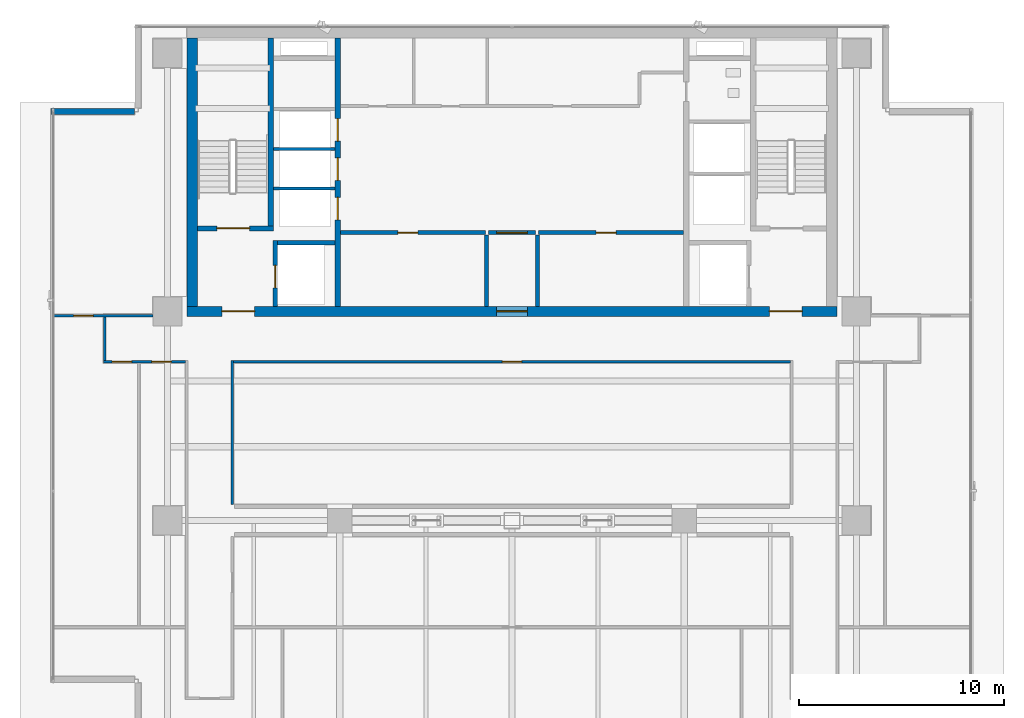
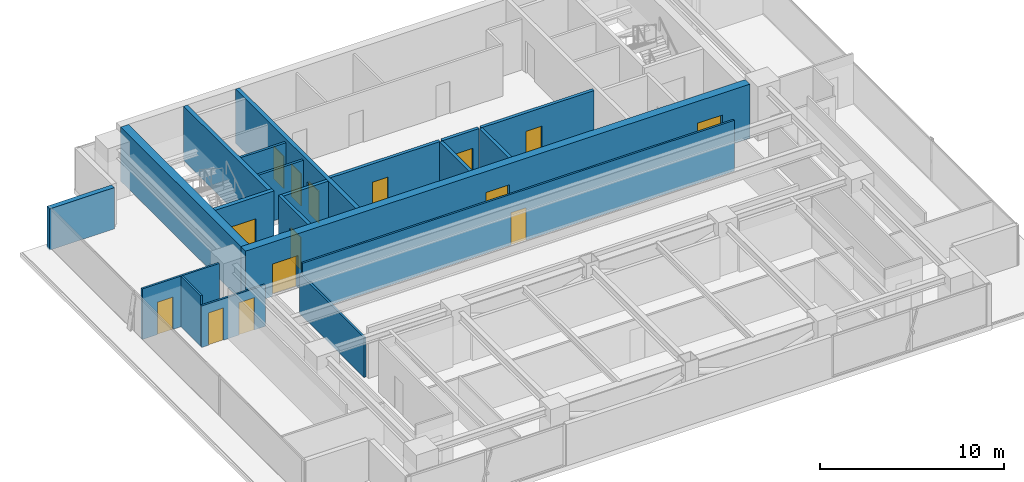
# One storey, part 20 of 27: 20 walls, 15 doors, 15 openings.
"""IFC4 building model written with IfcOpenShell, lengths in metres."""

from ifc_helpers import new_model, si_unit, direction, frame, frame_2d, origin, place, context, subcontext, project, spatial, rectangle, extrude, source, transform, mapped, material, layer, layer_set, type_object, element, fill, save


model = new_model("IFC4")

# Units and contexts
model_context = context("Model", 3, precision=1e-05, world=origin(), true_north=direction((0.0, 1.0)))
body_context = subcontext(model_context, "Body", "Model", "MODEL_VIEW")
ifc_project = project(units=[si_unit("LENGTHUNIT", "METRE"), si_unit("AREAUNIT", "SQUARE_METRE"), si_unit("VOLUMEUNIT", "CUBIC_METRE"), si_unit("PLANEANGLEUNIT", "RADIAN"), si_unit("MASSUNIT", "GRAM", prefix="KILO")], contexts=[model_context])

# Site, building, storey
site_placement = place(None, origin())
site = spatial("IfcSite", under=ifc_project, at=site_placement, CompositionType="ELEMENT")
building_placement = place(site_placement, origin())
building = spatial("IfcBuilding", under=site, at=building_placement, Name="Sumidabori Civic Tower", CompositionType="ELEMENT")
storey_placement = place(building_placement, frame((0.0, 0.0, 228.800048828125)))
storey = spatial("IfcBuildingStorey", under=building, at=storey_placement, Name="L59", CompositionType="ELEMENT", Elevation=228.800048828125)

# Wall
ifc_material_1 = material(Name="Concrete C50/60", Category="concrete")
ifc_layer_1 = layer(ifc_material_1, 0.199951171875, Name="Concrete C50/60")
ifc_layer_set_1 = layer_set([ifc_layer_1], Name="Concrete C50/60")
wall_type_1 = type_object("IfcWallType", Name="WL-SHAFT-200", PredefinedType="SHEAR", material=ifc_layer_set_1)
shared_shape_1 = source(origin(), body_context, "Body", "SweptSolid", [
    extrude(rectangle(XDim=2.824951171875, YDim=0.199951171875, at=frame_2d((1.41259765625, 0.0))), origin(), (0.0, 0.0, 1.0), 3.599853515625),
])
wall_1_placement = place(storey_placement, frame((-11.449951171875, 13.550048828125, 0.0), z_axis=(0.0, 0.0, 1.0), x_axis=(1.0, 0.0, 0.0)))
element("IfcWall", 1, at=wall_1_placement, inside=storey, type_object=wall_type_1, Name="Core Shear Wall L59 EL1-N", PredefinedType="SHEAR", context=body_context, shape_type="MappedRepresentation", body=[
    mapped(shared_shape_1, transform((0.0, 0.0, 0.0), x_axis=(1.0, 0.0, 0.0), y_axis=(0.0, 1.0, 0.0), z_axis=(0.0, 0.0, 1.0), scale=1.0)),
])

# Wall, openings, doors
ifc_layer_2 = layer(ifc_material_1, 0.5, Name="Concrete C50/60")
ifc_layer_set_2 = layer_set([ifc_layer_2], Name="Concrete C50/60")
wall_type_2 = type_object("IfcWallType", Name="WL-CORE-500", PredefinedType="SHEAR", material=ifc_layer_set_2)
shared_shape_2 = source(origin(), body_context, "Body", "SweptSolid", [
    extrude(rectangle(XDim=31.7001953125, YDim=0.5, at=frame_2d((15.85009765625, 0.0))), origin(), (0.0, 0.0, 1.0), 3.599853515625),
])
wall_2_placement = place(storey_placement, frame((-15.85009765625, 10.199951171875, 0.0), z_axis=(0.0, 0.0, 1.0), x_axis=(1.0, 0.0, 0.0)))
wall_2 = element("IfcWall", 2, at=wall_2_placement, inside=storey, type_object=wall_type_2, Name="Core Shear Wall L59 S", PredefinedType="SHEAR", context=body_context, shape_type="MappedRepresentation", body=[
    mapped(shared_shape_2, transform((0.0, 0.0, 0.0), x_axis=(1.0, 0.0, 0.0), y_axis=(0.0, 1.0, 0.0), z_axis=(0.0, 0.0, 1.0), scale=1.0)),
])
opening_1_placement = place(wall_2_placement, frame((1.699951171875, 0.0, 0.0)))
opening_1 = element("IfcOpeningElement", 3, at=opening_1_placement, cuts=wall_2, Name="Opening DR-FD4", PredefinedType="OPENING", context=body_context, shape_type="SweptSolid", body=[
    extrude(rectangle(XDim=1.60009765625, YDim=2.14990234375, at=frame_2d((0.800048828125, 1.074951171875))), frame((0.0, 0.261962890625, 0.0), z_axis=(0.0, -1.0, 0.0), x_axis=(1.0, 0.0, 0.0)), (0.0, 0.0, 1.0), 0.52392578125),
])
opening_2_placement = place(wall_2_placement, frame((28.39990234375, 0.0, 0.0)))
opening_2 = element("IfcOpeningElement", 4, at=opening_2_placement, cuts=wall_2, Name="Opening DR-FD4", PredefinedType="OPENING", context=body_context, shape_type="SweptSolid", body=[
    extrude(rectangle(XDim=1.60009765625, YDim=2.14990234375, at=frame_2d((0.800048828125, 1.074951171875))), frame((0.0, 0.261962890625, 0.0), z_axis=(0.0, -1.0, 0.0), x_axis=(1.0, 0.0, 0.0)), (0.0, 0.0, 1.0), 0.52392578125),
])
opening_3_placement = place(wall_2_placement, frame((15.10009765625, 0.0, 0.0)))
opening_3 = element("IfcOpeningElement", 5, at=opening_3_placement, cuts=wall_2, Name="Opening DR-FD3", PredefinedType="OPENING", context=body_context, shape_type="SweptSolid", body=[
    extrude(rectangle(XDim=1.5, YDim=2.199951171875, at=frame_2d((0.75, 1.10009765625))), frame((0.0, 0.261962890625, 0.0), z_axis=(0.0, -1.0, 0.0), x_axis=(1.0, 0.0, 0.0)), (0.0, 0.0, 1.0), 0.52392578125),
])
ifc_material_2 = material(Name="Steel SN490", Category="steel")
door_type_1 = type_object("IfcDoorType", Name="DR-FD4", OperationType="DOUBLE_DOOR_SINGLE_SWING", PredefinedType="DOOR", material=ifc_material_2)
shared_shape_3 = source(origin(), body_context, "Body", "SweptSolid", [
    extrude(rectangle(XDim=1.60009765625, YDim=2.14990234375, at=frame_2d((0.800048828125, 1.074951171875))), frame((0.0, 0.02490234375, 0.0), z_axis=(0.0, -1.0, 0.0), x_axis=(1.0, 0.0, 0.0)), (0.0, 0.0, 1.0), 0.050048828125),
])
door_1_placement = place(opening_1_placement, origin())
door_1 = element("IfcDoor", 6, at=door_1_placement, inside=storey, type_object=door_type_1, Name="Door DR:L59:ELOB-W", OperationType="DOUBLE_DOOR_SINGLE_SWING", OverallHeight=2.14990234375, OverallWidth=1.60009765625, PredefinedType="DOOR", context=body_context, shape_type="MappedRepresentation", body=[
    mapped(shared_shape_3, transform((0.0, 0.0, 0.0), x_axis=(1.0, 0.0, 0.0), y_axis=(0.0, 1.0, 0.0), z_axis=(0.0, 0.0, 1.0), scale=1.0)),
])
fill(opening_1, door_1)
door_2_placement = place(opening_2_placement, origin())
door_2 = element("IfcDoor", 7, at=door_2_placement, inside=storey, type_object=door_type_1, Name="Door DR:L59:ELOB-E", OperationType="DOUBLE_DOOR_SINGLE_SWING", OverallHeight=2.14990234375, OverallWidth=1.60009765625, PredefinedType="DOOR", context=body_context, shape_type="MappedRepresentation", body=[
    mapped(shared_shape_3, transform((0.0, 0.0, 0.0), x_axis=(1.0, 0.0, 0.0), y_axis=(0.0, 1.0, 0.0), z_axis=(0.0, 0.0, 1.0), scale=1.0)),
])
fill(opening_2, door_2)
door_type_2 = type_object("IfcDoorType", Name="DR-FD-DBL", OperationType="DOUBLE_DOOR_SINGLE_SWING", PredefinedType="DOOR", material=ifc_material_2)
shared_shape_4 = source(origin(), body_context, "Body", "SweptSolid", [
    extrude(rectangle(XDim=1.5, YDim=2.199951171875, at=frame_2d((0.75, 1.10009765625))), frame((0.0, 0.02490234375, 0.0), z_axis=(0.0, -1.0, 0.0), x_axis=(1.0, 0.0, 0.0)), (0.0, 0.0, 1.0), 0.050048828125),
])
door_3_placement = place(opening_3_placement, origin())
door_3 = element("IfcDoor", 8, at=door_3_placement, inside=storey, type_object=door_type_2, Name="Door DR:L59:THROAT-OUT", OperationType="DOUBLE_DOOR_SINGLE_SWING", OverallHeight=2.199951171875, OverallWidth=1.5, PredefinedType="DOOR", context=body_context, shape_type="MappedRepresentation", body=[
    mapped(shared_shape_4, transform((0.0, 0.0, 0.0), x_axis=(1.0, 0.0, 0.0), y_axis=(0.0, 1.0, 0.0), z_axis=(0.0, 0.0, 1.0), scale=1.0)),
])
fill(opening_3, door_3)

# Wall
shared_shape_5 = source(origin(), body_context, "Body", "SweptSolid", [
    extrude(rectangle(XDim=13.10009765625, YDim=0.5, at=frame_2d((6.550048828125, 0.0))), origin(), (0.0, 0.0, 1.0), 3.599853515625),
])
wall_3_placement = place(storey_placement, frame((-15.60009765625, 10.449951171875, 0.0), z_axis=(0.0, 0.0, 1.0), x_axis=(0.0, 1.0, 0.0)))
element("IfcWall", 9, at=wall_3_placement, inside=storey, type_object=wall_type_2, Name="Core Shear Wall L59 W", PredefinedType="SHEAR", context=body_context, shape_type="MappedRepresentation", body=[
    mapped(shared_shape_5, transform((0.0, 0.0, 0.0), x_axis=(1.0, 0.0, 0.0), y_axis=(0.0, 1.0, 0.0), z_axis=(0.0, 0.0, 1.0), scale=1.0)),
])

# Wall, openings, doors
ifc_layer_3 = layer(ifc_material_1, 0.25, Name="Concrete C50/60")
ifc_layer_set_3 = layer_set([ifc_layer_3], Name="Concrete C50/60")
wall_type_3 = type_object("IfcWallType", Name="WL-SHAFT-250", PredefinedType="SHEAR", material=ifc_layer_set_3)
shared_shape_6 = source(origin(), body_context, "Body", "SweptSolid", [
    extrude(rectangle(XDim=13.10009765625, YDim=0.25, at=frame_2d((6.550048828125, 0.0))), origin(), (0.0, 0.0, 1.0), 3.599853515625),
])
wall_4_placement = place(storey_placement, frame((-8.5, 10.449951171875, 0.0), z_axis=(0.0, 0.0, 1.0), x_axis=(0.0, 1.0, 0.0)))
wall_4 = element("IfcWall", 10, at=wall_4_placement, inside=storey, type_object=wall_type_3, Name="Core Shear Wall L59 WEB-W", PredefinedType="SHEAR", context=body_context, shape_type="MappedRepresentation", body=[
    mapped(shared_shape_6, transform((0.0, 0.0, 0.0), x_axis=(1.0, 0.0, 0.0), y_axis=(0.0, 1.0, 0.0), z_axis=(0.0, 0.0, 1.0), scale=1.0)),
])
opening_4_placement = place(wall_4_placement, frame((4.219970703125, 0.0, 0.0)))
opening_4 = element("IfcOpeningElement", 11, at=opening_4_placement, cuts=wall_4, Name="Opening LD-1", PredefinedType="OPENING", context=body_context, shape_type="SweptSolid", body=[
    extrude(rectangle(XDim=1.10009765625, YDim=2.14990234375, at=frame_2d((0.550048828125, 1.074951171875))), frame((0.0, 0.136962890625, 0.0), z_axis=(0.0, -1.0, 0.0), x_axis=(1.0, 0.0, 0.0)), (0.0, 0.0, 1.0), 0.27392578125),
])
opening_5_placement = place(wall_4_placement, frame((6.139892578125, 0.0, 0.0)))
opening_5 = element("IfcOpeningElement", 12, at=opening_5_placement, cuts=wall_4, Name="Opening LD-1", PredefinedType="OPENING", context=body_context, shape_type="SweptSolid", body=[
    extrude(rectangle(XDim=1.10009765625, YDim=2.14990234375, at=frame_2d((0.550048828125, 1.074951171875))), frame((0.0, 0.136962890625, 0.0), z_axis=(0.0, -1.0, 0.0), x_axis=(1.0, 0.0, 0.0)), (0.0, 0.0, 1.0), 0.27392578125),
])
opening_6_placement = place(wall_4_placement, frame((8.06005859375, 0.0, 0.0)))
opening_6 = element("IfcOpeningElement", 13, at=opening_6_placement, cuts=wall_4, Name="Opening LD-1", PredefinedType="OPENING", context=body_context, shape_type="SweptSolid", body=[
    extrude(rectangle(XDim=1.10009765625, YDim=2.14990234375, at=frame_2d((0.550048828125, 1.074951171875))), frame((0.0, 0.136962890625, 0.0), z_axis=(0.0, -1.0, 0.0), x_axis=(1.0, 0.0, 0.0)), (0.0, 0.0, 1.0), 0.27392578125),
])
ifc_material_3 = material(Name="Stainless Steel Hairline Finish", Category="steel")
door_type_3 = type_object("IfcDoorType", Name="DR-LD1", OperationType="DOUBLE_DOOR_SLIDING", PredefinedType="DOOR", material=ifc_material_3)
shared_shape_7 = source(origin(), body_context, "Body", "SweptSolid", [
    extrude(rectangle(XDim=1.10009765625, YDim=2.14990234375, at=frame_2d((0.550048828125, 1.074951171875))), frame((0.0, 0.02490234375, 0.0), z_axis=(0.0, -1.0, 0.0), x_axis=(1.0, 0.0, 0.0)), (0.0, 0.0, 1.0), 0.050048828125),
])
door_4_placement = place(opening_4_placement, origin())
door_4 = element("IfcDoor", 14, at=door_4_placement, inside=storey, type_object=door_type_3, Name="Door DR:L59:LD-PLH1", OperationType="DOUBLE_DOOR_SLIDING", OverallHeight=2.14990234375, OverallWidth=1.10009765625, PredefinedType="DOOR", context=body_context, shape_type="MappedRepresentation", body=[
    mapped(shared_shape_7, transform((0.0, 0.0, 0.0), x_axis=(1.0, 0.0, 0.0), y_axis=(0.0, 1.0, 0.0), z_axis=(0.0, 0.0, 1.0), scale=1.0)),
])
fill(opening_4, door_4)
door_5_placement = place(opening_5_placement, origin())
door_5 = element("IfcDoor", 15, at=door_5_placement, inside=storey, type_object=door_type_3, Name="Door DR:L59:LD-PLH2", OperationType="DOUBLE_DOOR_SLIDING", OverallHeight=2.14990234375, OverallWidth=1.10009765625, PredefinedType="DOOR", context=body_context, shape_type="MappedRepresentation", body=[
    mapped(shared_shape_7, transform((0.0, 0.0, 0.0), x_axis=(1.0, 0.0, 0.0), y_axis=(0.0, 1.0, 0.0), z_axis=(0.0, 0.0, 1.0), scale=1.0)),
])
fill(opening_5, door_5)
door_6_placement = place(opening_6_placement, origin())
door_6 = element("IfcDoor", 16, at=door_6_placement, inside=storey, type_object=door_type_3, Name="Door DR:L59:LD-PLH3", OperationType="DOUBLE_DOOR_SLIDING", OverallHeight=2.14990234375, OverallWidth=1.10009765625, PredefinedType="DOOR", context=body_context, shape_type="MappedRepresentation", body=[
    mapped(shared_shape_7, transform((0.0, 0.0, 0.0), x_axis=(1.0, 0.0, 0.0), y_axis=(0.0, 1.0, 0.0), z_axis=(0.0, 0.0, 1.0), scale=1.0)),
])
fill(opening_6, door_6)

# Wall, opening, door
shared_shape_8 = source(origin(), body_context, "Body", "SweptSolid", [
    extrude(rectangle(XDim=3.705078125, YDim=0.25, at=frame_2d((1.8525390625, 0.0))), origin(), (0.0, 0.0, 1.0), 3.599853515625),
])
wall_5_placement = place(storey_placement, frame((-15.35009765625, 14.25, 0.0), z_axis=(0.0, 0.0, 1.0), x_axis=(1.0, 0.0, 0.0)))
wall_5 = element("IfcWall", 17, at=wall_5_placement, inside=storey, type_object=wall_type_3, Name="Core Shear Wall L59 ST1-S", PredefinedType="SHEAR", context=body_context, shape_type="MappedRepresentation", body=[
    mapped(shared_shape_8, transform((0.0, 0.0, 0.0), x_axis=(1.0, 0.0, 0.0), y_axis=(0.0, 1.0, 0.0), z_axis=(0.0, 0.0, 1.0), scale=1.0)),
])
opening_7_placement = place(wall_5_placement, frame((0.949951171875, 0.0, 0.0)))
opening_7 = element("IfcOpeningElement", 18, at=opening_7_placement, cuts=wall_5, Name="Opening DR-FD4", PredefinedType="OPENING", context=body_context, shape_type="SweptSolid", body=[
    extrude(rectangle(XDim=1.60009765625, YDim=2.14990234375, at=frame_2d((0.800048828125, 1.074951171875))), frame((0.0, 0.136962890625, 0.0), z_axis=(0.0, -1.0, 0.0), x_axis=(1.0, 0.0, 0.0)), (0.0, 0.0, 1.0), 0.27392578125),
])
door_7_placement = place(opening_7_placement, origin())
door_7 = element("IfcDoor", 19, at=door_7_placement, inside=storey, type_object=door_type_1, Name="Door DR:L59:ST1", OperationType="DOUBLE_DOOR_SINGLE_SWING", OverallHeight=2.14990234375, OverallWidth=1.60009765625, PredefinedType="DOOR", context=body_context, shape_type="MappedRepresentation", body=[
    mapped(shared_shape_3, transform((0.0, 0.0, 0.0), x_axis=(1.0, 0.0, 0.0), y_axis=(0.0, 1.0, 0.0), z_axis=(0.0, 0.0, 1.0), scale=1.0)),
])
fill(opening_7, door_7)

# Wall
shared_shape_9 = source(origin(), body_context, "Body", "SweptSolid", [
    extrude(rectangle(XDim=9.175048828125, YDim=0.25, at=frame_2d((4.58740234375, 0.0))), origin(), (0.0, 0.0, 1.0), 3.599853515625),
])
wall_6_placement = place(storey_placement, frame((-11.77001953125, 14.375, 0.0), z_axis=(0.0, 0.0, 1.0), x_axis=(0.0, 1.0, 0.0)))
element("IfcWall", 20, at=wall_6_placement, inside=storey, type_object=wall_type_3, Name="Core Shear Wall L59 ST1-E", PredefinedType="SHEAR", context=body_context, shape_type="MappedRepresentation", body=[
    mapped(shared_shape_9, transform((0.0, 0.0, 0.0), x_axis=(1.0, 0.0, 0.0), y_axis=(0.0, 1.0, 0.0), z_axis=(0.0, 0.0, 1.0), scale=1.0)),
])

# Wall, opening, door
shared_shape_10 = source(origin(), body_context, "Body", "SweptSolid", [
    extrude(rectangle(XDim=3.199951171875, YDim=0.199951171875, at=frame_2d((1.60009765625, 0.0))), origin(), (0.0, 0.0, 1.0), 3.599853515625),
])
wall_7_placement = place(storey_placement, frame((-11.550048828125, 10.449951171875, 0.0), z_axis=(0.0, 0.0, 1.0), x_axis=(0.0, 1.0, 0.0)))
wall_7 = element("IfcWall", 21, at=wall_7_placement, inside=storey, type_object=wall_type_1, Name="Core Shear Wall L59 EL1-W", PredefinedType="SHEAR", context=body_context, shape_type="MappedRepresentation", body=[
    mapped(shared_shape_10, transform((0.0, 0.0, 0.0), x_axis=(1.0, 0.0, 0.0), y_axis=(0.0, 1.0, 0.0), z_axis=(0.0, 0.0, 1.0), scale=1.0)),
])
opening_8_placement = place(wall_7_placement, frame((0.89990234375, 0.0, 0.0)))
opening_8 = element("IfcOpeningElement", 22, at=opening_8_placement, cuts=wall_7, Name="Opening LD-2", PredefinedType="OPENING", context=body_context, shape_type="SweptSolid", body=[
    extrude(rectangle(XDim=1.10009765625, YDim=2.14990234375, at=frame_2d((0.550048828125, 1.074951171875))), frame((0.0, 0.11181640625, 0.0), z_axis=(0.0, -1.0, 0.0), x_axis=(1.0, 0.0, 0.0)), (0.0, 0.0, 1.0), 0.223876953125),
])
door_type_4 = type_object("IfcDoorType", Name="DR-LD2", OperationType="DOUBLE_DOOR_SLIDING", PredefinedType="DOOR", material=ifc_material_3)
door_8_placement = place(opening_8_placement, origin())
door_8 = element("IfcDoor", 23, at=door_8_placement, inside=storey, type_object=door_type_4, Name="Door DR:L59:LD-EL1", OperationType="DOUBLE_DOOR_SLIDING", OverallHeight=2.14990234375, OverallWidth=1.10009765625, PredefinedType="DOOR", context=body_context, shape_type="MappedRepresentation", body=[
    mapped(shared_shape_7, transform((0.0, 0.0, 0.0), x_axis=(1.0, 0.0, 0.0), y_axis=(0.0, 1.0, 0.0), z_axis=(0.0, 0.0, 1.0), scale=1.0)),
])
fill(opening_8, door_8)

# Walls
ifc_material_4 = material(Name="Precast concrete C40/50", Category="concrete")
ifc_layer_4 = layer(ifc_material_4, 0.300048828125, Name="Precast concrete C40/50")
ifc_layer_set_4 = layer_set([ifc_layer_4], Name="Precast concrete C40/50")
wall_type_4 = type_object("IfcWallType", Name="WL-EXT-POD300", PredefinedType="STANDARD", material=ifc_layer_set_4)
shared_shape_11 = source(origin(), body_context, "Body", "SweptSolid", [
    extrude(rectangle(XDim=4.06005859375, YDim=0.300048828125, at=frame_2d((2.030029296875, 0.0))), origin(), (0.0, 0.0, 1.0), 2.75),
])
wall_8_placement = place(storey_placement, frame((-18.419921875, 19.949951171875, 0.0), z_axis=(0.0, 0.0, 1.0), x_axis=(-1.0, 0.0, 0.0)))
element("IfcWall", 24, at=wall_8_placement, inside=storey, type_object=wall_type_4, Name="Notched Corner Spandrel Band L59-10", PredefinedType="STANDARD", context=body_context, shape_type="MappedRepresentation", body=[
    mapped(shared_shape_11, transform((0.0, 0.0, 0.0), x_axis=(1.0, 0.0, 0.0), y_axis=(0.0, 1.0, 0.0), z_axis=(0.0, 0.0, 1.0), scale=1.0)),
])
ifc_material_5 = material(Name="Gypsum Plasterboard Acoustic Partition")
ifc_layer_5 = layer(ifc_material_5, 0.14990234375, Name="Gypsum Plasterboard Acoustic Partition")
ifc_layer_set_5 = layer_set([ifc_layer_5], Name="Gypsum Plasterboard Acoustic Partition")
wall_type_5 = type_object("IfcWallType", Name="WL-PART-150", PredefinedType="PARTITIONING", material=ifc_layer_set_5)
shared_shape_12 = source(origin(), body_context, "Body", "SweptSolid", [
    extrude(rectangle(XDim=3.010009765625, YDim=0.14990234375, at=frame_2d((1.5048828125, 0.0))), origin(), (0.0, 0.0, 1.0), 3.369873046875),
])
for number, where, z_axis, x_axis, name in (
    (25, (-11.639892578125, 16.199951171875, 0.0), (0.0, 0.0, 1.0), (1.0, 0.0, 0.0), "Interior Partition WL:L59:DIV-PLH1"),
    (26, (-11.639892578125, 18.1201171875, 0.0), (0.0, 0.0, 1.0), (1.0, 0.0, 0.0), "Interior Partition WL:L59:DIV-PLH2"),
):
    element("IfcWall", number, at=place(storey_placement, frame(where, z_axis=z_axis, x_axis=x_axis)), inside=storey, type_object=wall_type_5, Name=name, PredefinedType="PARTITIONING", context=body_context, shape_type="MappedRepresentation", body=[
        mapped(shared_shape_12, transform((0.0, 0.0, 0.0), x_axis=(1.0, 0.0, 0.0), y_axis=(0.0, 1.0, 0.0), z_axis=(0.0, 0.0, 1.0), scale=1.0)),
    ])

# Wall, opening, door
ifc_material_6 = material(Name="Gypsum Plasterboard Fire Partition")
ifc_layer_6 = layer(ifc_material_6, 0.199951171875, Name="Gypsum Plasterboard Fire Partition")
ifc_layer_set_6 = layer_set([ifc_layer_6], Name="Gypsum Plasterboard Fire Partition")
wall_type_6 = type_object("IfcWallType", Name="WL-PART-FIRE", PredefinedType="PARTITIONING", material=ifc_layer_set_6)
shared_shape_13 = source(origin(), body_context, "Body", "SweptSolid", [
    extrude(rectangle(XDim=7.070068359375, YDim=0.199951171875, at=frame_2d((3.53515625, 0.0))), origin(), (0.0, 0.0, 1.0), 3.369873046875),
])
wall_9_placement = place(storey_placement, frame((-8.3701171875, 14.050048828125, 0.0), z_axis=(0.0, 0.0, 1.0), x_axis=(1.0, 0.0, 0.0)))
wall_9 = element("IfcWall", 27, at=wall_9_placement, inside=storey, type_object=wall_type_6, Name="Interior Partition WL:L59:CBAND-SW", PredefinedType="PARTITIONING", context=body_context, shape_type="MappedRepresentation", body=[
    mapped(shared_shape_13, transform((0.0, 0.0, 0.0), x_axis=(1.0, 0.0, 0.0), y_axis=(0.0, 1.0, 0.0), z_axis=(0.0, 0.0, 1.0), scale=1.0)),
])
opening_9_placement = place(wall_9_placement, frame((2.800048828125, 0.0, 0.0)))
opening_9 = element("IfcOpeningElement", 28, at=opening_9_placement, cuts=wall_9, Name="Opening DR-3", PredefinedType="OPENING", context=body_context, shape_type="SweptSolid", body=[
    extrude(rectangle(XDim=0.97998046875, YDim=2.14990234375, at=frame_2d((0.489990234375, 1.074951171875))), frame((0.0, 0.11181640625, 0.0), z_axis=(0.0, -1.0, 0.0), x_axis=(1.0, 0.0, 0.0)), (0.0, 0.0, 1.0), 0.223876953125),
])
ifc_material_7 = material(Name="Japanese Hinoki Timber", Category="wood")
door_type_5 = type_object("IfcDoorType", Name="DR-INT-980", OperationType="NOTDEFINED", PredefinedType="DOOR", material=ifc_material_7)
shared_shape_14 = source(origin(), body_context, "Body", "SweptSolid", [
    extrude(rectangle(XDim=0.97998046875, YDim=2.14990234375, at=frame_2d((0.489990234375, 1.074951171875))), frame((0.0, 0.02490234375, 0.0), z_axis=(0.0, -1.0, 0.0), x_axis=(1.0, 0.0, 0.0)), (0.0, 0.0, 1.0), 0.050048828125),
])
door_9_placement = place(opening_9_placement, origin())
door_9 = element("IfcDoor", 29, at=door_9_placement, inside=storey, type_object=door_type_5, Name="Door DR:L59:REC-B1", OperationType="SINGLE_SWING_LEFT", OverallHeight=2.14990234375, OverallWidth=0.97998046875, PredefinedType="DOOR", context=body_context, shape_type="MappedRepresentation", body=[
    mapped(shared_shape_14, transform((0.0, 0.0, 0.0), x_axis=(1.0, 0.0, 0.0), y_axis=(0.0, 1.0, 0.0), z_axis=(0.0, 0.0, 1.0), scale=1.0)),
])
fill(opening_9, door_9)

wall_10_placement = place(storey_placement, frame((1.300048828125, 14.050048828125, 0.0), z_axis=(0.0, 0.0, 1.0), x_axis=(1.0, 0.0, 0.0)))
wall_10 = element("IfcWall", 30, at=wall_10_placement, inside=storey, type_object=wall_type_6, Name="Interior Partition WL:L59:CBAND-SE", PredefinedType="PARTITIONING", context=body_context, shape_type="MappedRepresentation", body=[
    mapped(shared_shape_13, transform((0.0, 0.0, 0.0), x_axis=(1.0, 0.0, 0.0), y_axis=(0.0, 1.0, 0.0), z_axis=(0.0, 0.0, 1.0), scale=1.0)),
])
opening_10_placement = place(wall_10_placement, frame((2.800048828125, 0.0, 0.0)))
opening_10 = element("IfcOpeningElement", 31, at=opening_10_placement, cuts=wall_10, Name="Opening DR-3", PredefinedType="OPENING", context=body_context, shape_type="SweptSolid", body=[
    extrude(rectangle(XDim=0.97998046875, YDim=2.14990234375, at=frame_2d((0.489990234375, 1.074951171875))), frame((0.0, 0.11181640625, 0.0), z_axis=(0.0, -1.0, 0.0), x_axis=(1.0, 0.0, 0.0)), (0.0, 0.0, 1.0), 0.223876953125),
])
door_10_placement = place(opening_10_placement, origin())
door_10 = element("IfcDoor", 32, at=door_10_placement, inside=storey, type_object=door_type_5, Name="Door DR:L59:REC-B2", OperationType="SINGLE_SWING_RIGHT", OverallHeight=2.14990234375, OverallWidth=0.97998046875, PredefinedType="DOOR", context=body_context, shape_type="MappedRepresentation", body=[
    mapped(shared_shape_14, transform((0.0, 0.0, 0.0), x_axis=(1.0, 0.0, 0.0), y_axis=(0.0, 1.0, 0.0), z_axis=(0.0, 0.0, 1.0), scale=1.0)),
])
fill(opening_10, door_10)

# Walls
shared_shape_15 = source(origin(), body_context, "Body", "SweptSolid", [
    extrude(rectangle(XDim=3.489990234375, YDim=0.199951171875, at=frame_2d((1.7451171875, 0.0))), origin(), (0.0, 0.0, 1.0), 3.369873046875),
])
for number, where, z_axis, x_axis, name in (
    (33, (-1.25, 10.449951171875, 0.0), (0.0, 0.0, 1.0), (0.0, 1.0, 0.0), "Interior Partition WL:L59:THROAT-W"),
    (34, (1.25, 10.449951171875, 0.0), (0.0, 0.0, 1.0), (0.0, 1.0, 0.0), "Interior Partition WL:L59:THROAT-E"),
):
    element("IfcWall", number, at=place(storey_placement, frame(where, z_axis=z_axis, x_axis=x_axis)), inside=storey, type_object=wall_type_6, Name=name, PredefinedType="PARTITIONING", context=body_context, shape_type="MappedRepresentation", body=[
        mapped(shared_shape_15, transform((0.0, 0.0, 0.0), x_axis=(1.0, 0.0, 0.0), y_axis=(0.0, 1.0, 0.0), z_axis=(0.0, 0.0, 1.0), scale=1.0)),
    ])

# Wall, opening, door
shared_shape_16 = source(origin(), body_context, "Body", "SweptSolid", [
    extrude(rectangle(XDim=2.2998046875, YDim=0.199951171875, at=frame_2d((1.14990234375, 0.0))), origin(), (0.0, 0.0, 1.0), 3.369873046875),
])
wall_11_placement = place(storey_placement, frame((-1.14990234375, 14.050048828125, 0.0), z_axis=(0.0, 0.0, 1.0), x_axis=(1.0, 0.0, 0.0)))
wall_11 = element("IfcWall", 35, at=wall_11_placement, inside=storey, type_object=wall_type_6, Name="Interior Partition WL:L59:THROAT-N", PredefinedType="PARTITIONING", context=body_context, shape_type="MappedRepresentation", body=[
    mapped(shared_shape_16, transform((0.0, 0.0, 0.0), x_axis=(1.0, 0.0, 0.0), y_axis=(0.0, 1.0, 0.0), z_axis=(0.0, 0.0, 1.0), scale=1.0)),
])
opening_11_placement = place(wall_11_placement, frame((0.39990234375, 0.0, 0.0)))
opening_11 = element("IfcOpeningElement", 36, at=opening_11_placement, cuts=wall_11, Name="Opening DR-FD3", PredefinedType="OPENING", context=body_context, shape_type="SweptSolid", body=[
    extrude(rectangle(XDim=1.5, YDim=2.199951171875, at=frame_2d((0.75, 1.10009765625))), frame((0.0, 0.11181640625, 0.0), z_axis=(0.0, -1.0, 0.0), x_axis=(1.0, 0.0, 0.0)), (0.0, 0.0, 1.0), 0.223876953125),
])
door_11_placement = place(opening_11_placement, origin())
door_11 = element("IfcDoor", 37, at=door_11_placement, inside=storey, type_object=door_type_2, Name="Door DR:L59:THROAT-IN", OperationType="DOUBLE_DOOR_SINGLE_SWING", OverallHeight=2.199951171875, OverallWidth=1.5, PredefinedType="DOOR", context=body_context, shape_type="MappedRepresentation", body=[
    mapped(shared_shape_4, transform((0.0, 0.0, 0.0), x_axis=(1.0, 0.0, 0.0), y_axis=(0.0, 1.0, 0.0), z_axis=(0.0, 0.0, 1.0), scale=1.0)),
])
fill(opening_11, door_11)

ifc_layer_7 = layer(ifc_material_5, 0.1201171875, Name="Gypsum Plasterboard Acoustic Partition")
ifc_layer_set_7 = layer_set([ifc_layer_7], Name="Gypsum Plasterboard Acoustic Partition")
wall_type_7 = type_object("IfcWallType", Name="WL-PART-120", PredefinedType="PARTITIONING", material=ifc_layer_set_7)
shared_shape_17 = source(origin(), body_context, "Body", "SweptSolid", [
    extrude(rectangle(XDim=4.840087890625, YDim=0.1201171875, at=frame_2d((2.419921875, 0.0))), origin(), (0.0, 0.0, 1.0), 3.369873046875),
])
wall_12_placement = place(storey_placement, frame((-22.35009765625, 10.0, 0.0), z_axis=(0.0, 0.0, 1.0), x_axis=(1.0, 0.0, 0.0)))
wall_12 = element("IfcWall", 38, at=wall_12_placement, inside=storey, type_object=wall_type_7, Name="Interior Partition WL:L59:FLK-NW", PredefinedType="PARTITIONING", context=body_context, shape_type="MappedRepresentation", body=[
    mapped(shared_shape_17, transform((0.0, 0.0, 0.0), x_axis=(1.0, 0.0, 0.0), y_axis=(0.0, 1.0, 0.0), z_axis=(0.0, 0.0, 1.0), scale=1.0)),
])
opening_12_placement = place(wall_12_placement, frame((0.969970703125, 0.0, 0.0)))
opening_12 = element("IfcOpeningElement", 39, at=opening_12_placement, cuts=wall_12, Name="Opening DR-2", PredefinedType="OPENING", context=body_context, shape_type="SweptSolid", body=[
    extrude(rectangle(XDim=0.949951171875, YDim=2.14990234375, at=frame_2d((0.47509765625, 1.074951171875))), frame((0.0, 0.072021484375, 0.0), z_axis=(0.0, -1.0, 0.0), x_axis=(1.0, 0.0, 0.0)), (0.0, 0.0, 1.0), 0.14404296875),
])
door_type_6 = type_object("IfcDoorType", Name="DR-INT-950", OperationType="NOTDEFINED", PredefinedType="DOOR", material=ifc_material_7)
shared_shape_18 = source(origin(), body_context, "Body", "SweptSolid", [
    extrude(rectangle(XDim=0.949951171875, YDim=2.14990234375, at=frame_2d((0.47509765625, 1.074951171875))), frame((0.0, 0.02490234375, 0.0), z_axis=(0.0, -1.0, 0.0), x_axis=(1.0, 0.0, 0.0)), (0.0, 0.0, 1.0), 0.050048828125),
])
door_12_placement = place(opening_12_placement, origin())
door_12 = element("IfcDoor", 40, at=door_12_placement, inside=storey, type_object=door_type_6, Name="Door DR:L59:D09", OperationType="SINGLE_SWING_LEFT", OverallHeight=2.14990234375, OverallWidth=0.949951171875, PredefinedType="DOOR", context=body_context, shape_type="MappedRepresentation", body=[
    mapped(shared_shape_18, transform((0.0, 0.0, 0.0), x_axis=(1.0, 0.0, 0.0), y_axis=(0.0, 1.0, 0.0), z_axis=(0.0, 0.0, 1.0), scale=1.0)),
])
fill(opening_12, door_12)

# Wall, openings, doors
shared_shape_19 = source(origin(), body_context, "Body", "SweptSolid", [
    extrude(rectangle(XDim=4.0, YDim=0.1201171875, at=frame_2d((2.0, 0.0))), origin(), (0.0, 0.0, 1.0), 2.7548828125),
])
wall_13_placement = place(storey_placement, frame((-19.919921875, 7.739990234375, 0.0), z_axis=(0.0, 0.0, 1.0), x_axis=(1.0, 0.0, 0.0)))
wall_13 = element("IfcWall", 41, at=wall_13_placement, inside=storey, type_object=wall_type_7, Name="Interior Partition WL:L59:CORR-SWO", PredefinedType="PARTITIONING", context=body_context, shape_type="MappedRepresentation", body=[
    mapped(shared_shape_19, transform((0.0, 0.0, 0.0), x_axis=(1.0, 0.0, 0.0), y_axis=(0.0, 1.0, 0.0), z_axis=(0.0, 0.0, 1.0), scale=1.0)),
])
opening_13_placement = place(wall_13_placement, frame((0.4150390625, 0.0, 0.0)))
opening_13 = element("IfcOpeningElement", 42, at=opening_13_placement, cuts=wall_13, Name="Opening DR-2", PredefinedType="OPENING", context=body_context, shape_type="SweptSolid", body=[
    extrude(rectangle(XDim=0.949951171875, YDim=2.14990234375, at=frame_2d((0.47509765625, 1.074951171875))), frame((0.0, 0.072021484375, 0.0), z_axis=(0.0, -1.0, 0.0), x_axis=(1.0, 0.0, 0.0)), (0.0, 0.0, 1.0), 0.14404296875),
])
opening_14_placement = place(wall_13_placement, frame((2.35498046875, 0.0, 0.0)))
opening_14 = element("IfcOpeningElement", 43, at=opening_14_placement, cuts=wall_13, Name="Opening DR-2", PredefinedType="OPENING", context=body_context, shape_type="SweptSolid", body=[
    extrude(rectangle(XDim=0.949951171875, YDim=2.14990234375, at=frame_2d((0.47509765625, 1.074951171875))), frame((0.0, 0.072021484375, 0.0), z_axis=(0.0, -1.0, 0.0), x_axis=(1.0, 0.0, 0.0)), (0.0, 0.0, 1.0), 0.14404296875),
])
door_13_placement = place(opening_13_placement, origin())
door_13 = element("IfcDoor", 44, at=door_13_placement, inside=storey, type_object=door_type_6, Name="Door DR:L59:D02", OperationType="SINGLE_SWING_RIGHT", OverallHeight=2.14990234375, OverallWidth=0.949951171875, PredefinedType="DOOR", context=body_context, shape_type="MappedRepresentation", body=[
    mapped(shared_shape_18, transform((0.0, 0.0, 0.0), x_axis=(1.0, 0.0, 0.0), y_axis=(0.0, 1.0, 0.0), z_axis=(0.0, 0.0, 1.0), scale=1.0)),
])
fill(opening_13, door_13)
door_14_placement = place(opening_14_placement, origin())
door_14 = element("IfcDoor", 45, at=door_14_placement, inside=storey, type_object=door_type_6, Name="Door DR:L59:D04", OperationType="SINGLE_SWING_RIGHT", OverallHeight=2.14990234375, OverallWidth=0.949951171875, PredefinedType="DOOR", context=body_context, shape_type="MappedRepresentation", body=[
    mapped(shared_shape_18, transform((0.0, 0.0, 0.0), x_axis=(1.0, 0.0, 0.0), y_axis=(0.0, 1.0, 0.0), z_axis=(0.0, 0.0, 1.0), scale=1.0)),
])
fill(opening_14, door_14)

# Wall, opening, door
shared_shape_20 = source(origin(), body_context, "Body", "SweptSolid", [
    extrude(rectangle(XDim=27.16015625, YDim=0.1201171875, at=frame_2d((13.580078125, 0.0))), origin(), (0.0, 0.0, 1.0), 3.369873046875),
])
wall_14_placement = place(storey_placement, frame((-13.580078125, 7.739990234375, 0.0), z_axis=(0.0, 0.0, 1.0), x_axis=(1.0, 0.0, 0.0)))
wall_14 = element("IfcWall", 46, at=wall_14_placement, inside=storey, type_object=wall_type_7, Name="Interior Partition WL:L59:CORR-SMC", PredefinedType="PARTITIONING", context=body_context, shape_type="MappedRepresentation", body=[
    mapped(shared_shape_20, transform((0.0, 0.0, 0.0), x_axis=(1.0, 0.0, 0.0), y_axis=(0.0, 1.0, 0.0), z_axis=(0.0, 0.0, 1.0), scale=1.0)),
])
opening_15_placement = place(wall_14_placement, frame((13.10498046875, 0.0, 0.0)))
opening_15 = element("IfcOpeningElement", 47, at=opening_15_placement, cuts=wall_14, Name="Opening DR-2", PredefinedType="OPENING", context=body_context, shape_type="SweptSolid", body=[
    extrude(rectangle(XDim=0.949951171875, YDim=2.14990234375, at=frame_2d((0.47509765625, 1.074951171875))), frame((0.0, 0.072021484375, 0.0), z_axis=(0.0, -1.0, 0.0), x_axis=(1.0, 0.0, 0.0)), (0.0, 0.0, 1.0), 0.14404296875),
])
door_15_placement = place(opening_15_placement, origin())
door_15 = element("IfcDoor", 48, at=door_15_placement, inside=storey, type_object=door_type_6, Name="Door DR:L59:D01", OperationType="SINGLE_SWING_LEFT", OverallHeight=2.14990234375, OverallWidth=0.949951171875, PredefinedType="DOOR", context=body_context, shape_type="MappedRepresentation", body=[
    mapped(shared_shape_18, transform((0.0, 0.0, 0.0), x_axis=(1.0, 0.0, 0.0), y_axis=(0.0, 1.0, 0.0), z_axis=(0.0, 0.0, 1.0), scale=1.0)),
])
fill(opening_15, door_15)

# Walls
shared_shape_21 = source(origin(), body_context, "Body", "SweptSolid", [
    extrude(rectangle(XDim=2.130126953125, YDim=0.1201171875, at=frame_2d((1.06494140625, 0.0))), origin(), (0.0, 0.0, 1.0), 3.369873046875),
])
wall_15_placement = place(storey_placement, frame((-19.860107421875, 7.804931640625, 0.0), z_axis=(0.0, 0.0, 1.0), x_axis=(0.0, 1.0, 0.0)))
element("IfcWall", 49, at=wall_15_placement, inside=storey, type_object=wall_type_7, Name="Interior Partition WL:L59:CORR-VNW", PredefinedType="PARTITIONING", context=body_context, shape_type="MappedRepresentation", body=[
    mapped(shared_shape_21, transform((0.0, 0.0, 0.0), x_axis=(1.0, 0.0, 0.0), y_axis=(0.0, 1.0, 0.0), z_axis=(0.0, 0.0, 1.0), scale=1.0)),
])
shared_shape_22 = source(origin(), body_context, "Body", "SweptSolid", [
    extrude(rectangle(XDim=7.02001953125, YDim=0.1201171875, at=frame_2d((3.510009765625, 0.0))), origin(), (0.0, 0.0, 1.0), 2.655029296875),
])
wall_16_placement = place(storey_placement, frame((-13.639892578125, 0.780029296875, 0.0), z_axis=(0.0, 0.0, 1.0), x_axis=(0.0, 1.0, 0.0)))
element("IfcWall", 50, at=wall_16_placement, inside=storey, type_object=wall_type_7, Name="Interior Partition WL:L59:CORR-VPW-I-2", PredefinedType="PARTITIONING", context=body_context, shape_type="MappedRepresentation", body=[
    mapped(shared_shape_22, transform((0.0, 0.0, 0.0), x_axis=(1.0, 0.0, 0.0), y_axis=(0.0, 1.0, 0.0), z_axis=(0.0, 0.0, 1.0), scale=1.0)),
])

save(model, "model.ifc")
